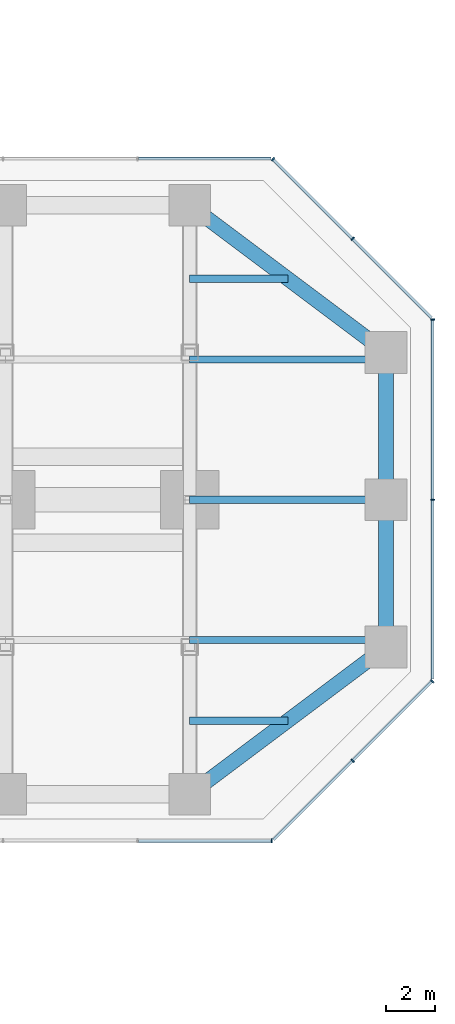
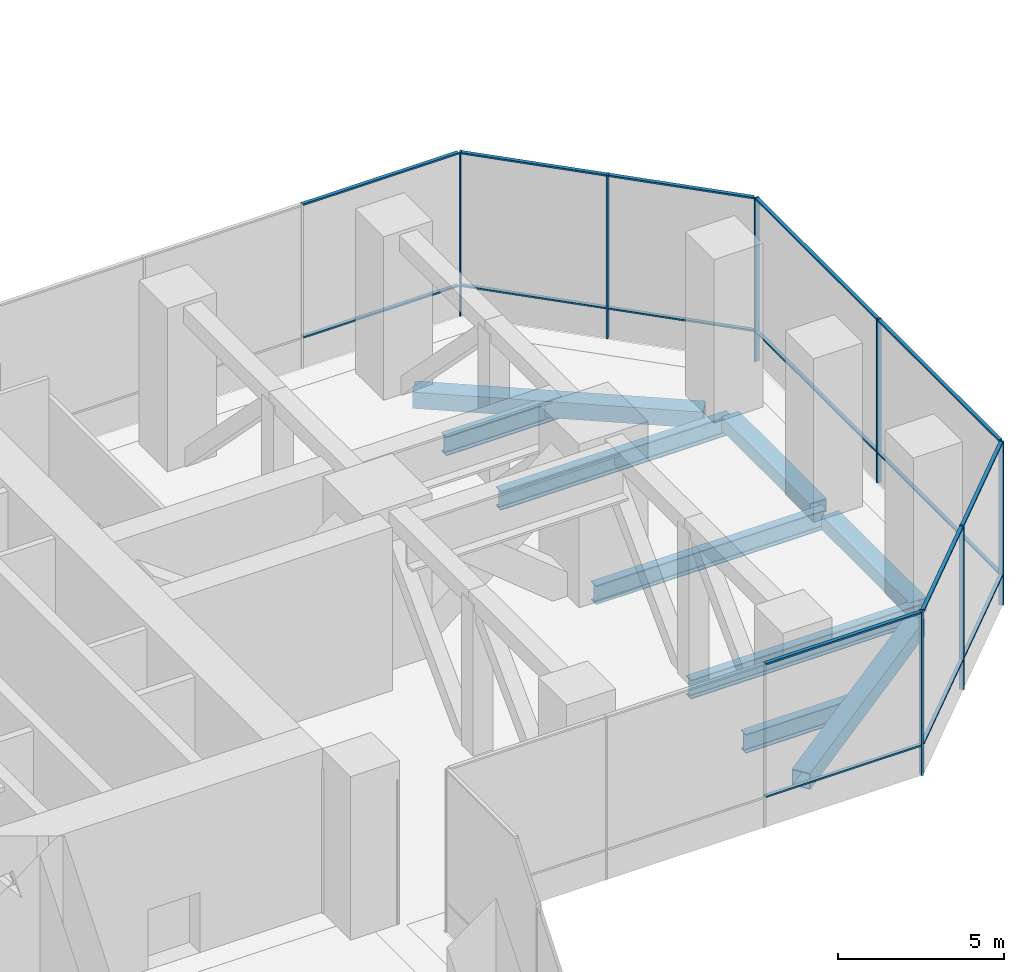
# One storey, part 10 of 19: 23 members, 9 beams, 5 elements without a shape of their own.
"""IFC4 building model written with IfcOpenShell, lengths in metres."""

from ifc_helpers import new_model, si_unit, direction, frame, origin, origin_2d, place, context, subcontext, project, spatial, rectangle, hollow_rectangle, i_section, extrude, material, material_profile, profile_set, type_object, element, aggregate, save


model = new_model("IFC4")

# Units and contexts
model_context = context("Model", 3, precision=1e-05, world=origin(), true_north=direction((0.0, 1.0)))
body_context = subcontext(model_context, "Body", "Model", "MODEL_VIEW")
ifc_project = project(units=[si_unit("LENGTHUNIT", "METRE"), si_unit("AREAUNIT", "SQUARE_METRE"), si_unit("VOLUMEUNIT", "CUBIC_METRE"), si_unit("PLANEANGLEUNIT", "RADIAN"), si_unit("MASSUNIT", "GRAM", prefix="KILO")], contexts=[model_context])

# Site, building, storey
site_placement = place(None, origin())
site = spatial("IfcSite", under=ifc_project, at=site_placement, CompositionType="ELEMENT")
building_placement = place(site_placement, origin())
building = spatial("IfcBuilding", under=site, at=building_placement, Name="Mizan Broadcast Tower", CompositionType="ELEMENT")
storey_placement = place(building_placement, frame((0.0, 0.0, 37.5)))
storey = spatial("IfcBuildingStorey", under=building, at=storey_placement, Name="L06", CompositionType="ELEMENT", Elevation=37.5)

# Beams
ifc_material_1 = material(Name="Steel S355", Category="steel")
ifc_material_profile_1 = material_profile(ifc_material_1, hollow_rectangle(XDim=0.60009765625, YDim=0.5, WallThickness=0.030029296875, at=origin_2d()), Name="BOX 500x600x30")
ifc_profile_set_1 = profile_set([ifc_material_profile_1], Name="Steel S355")
beam_type_1 = type_object("IfcBeamType", Name="EDGE BEAM BOX 500x600x30", PredefinedType="SPANDREL", material=ifc_profile_set_1)
for number, where, z_axis, x_axis, name in (
    (1, (35.0, -5.639892578125, -0.5), (0.0, 1.0, 0.0), (-1.0, 0.0, 0.0), "Edge beam BOX 500x600x30 L06 east arm"),
    (2, (35.0, 5.639892578125, -0.5), (0.0, -1.0, 0.0), (1.0, 0.0, 0.0), "Edge beam BOX 500x600x30 L06 east arm"),
):
    element("IfcBeam", number, at=place(storey_placement, frame(where, z_axis=z_axis, x_axis=x_axis)), inside=storey, type_object=beam_type_1, Name=name, PredefinedType="SPANDREL", context=body_context, shape_type="SweptSolid", body=[
        extrude(hollow_rectangle(XDim=0.60009765625, YDim=0.5, WallThickness=0.030029296875, at=origin_2d()), origin(), (0.0, 0.0, 1.0), 5.27978515625),
    ])
ifc_material_2 = material(Name="Steel S355", Category="steel")
ifc_material_profile_2 = material_profile(ifc_material_2, hollow_rectangle(XDim=0.60009765625, YDim=0.60009765625, WallThickness=0.030029296875, at=origin_2d()), Name="BOX 600x600x30")
ifc_profile_set_2 = profile_set([ifc_material_profile_2], Name="Steel S355")
beam_type_2 = type_object("IfcBeamType", Name="EDGE BEAM BOX 600x600x30", PredefinedType="SPANDREL", material=ifc_profile_set_2)
for number, where, z_axis, x_axis, name in (
    (3, (27.47998046875, -11.639892578125, -0.550048828125), (0.800013316712, 0.599982243973, 0.0), (-0.599982243973, 0.800013316712, 0.0), "Edge beam BOX 600x600x30 L06 east arm"),
    (4, (27.47998046875, 11.639892578125, -0.550048828125), (0.800013316712, -0.599982243973, 0.0), (0.599982243973, 0.800013316712, 0.0), "Edge beam BOX 600x600x30 L06 east arm"),
):
    element("IfcBeam", number, at=place(storey_placement, frame(where, z_axis=z_axis, x_axis=x_axis)), inside=storey, type_object=beam_type_2, Name=name, PredefinedType="SPANDREL", context=body_context, shape_type="SweptSolid", body=[
        extrude(hollow_rectangle(XDim=0.60009765625, YDim=0.60009765625, WallThickness=0.030029296875, at=origin_2d()), origin(), (0.0, 0.0, 1.0), 8.7998046875),
    ])

# Curtain wall, member
ifc_material_3 = material(Name="Aluminium framed glazing", Category="aluminium")
curtain_wall_type = type_object("IfcCurtainWallType", Name="PLANT LOUVRE", PredefinedType="USERDEFINED", material=ifc_material_3)
curtain_wall_1_placement = place(storey_placement, origin())
curtain_wall_1 = element("IfcCurtainWall", 5, at=curtain_wall_1_placement, inside=storey, type_object=curtain_wall_type, Name="Plant louvre L06 E side", ObjectType="PLANT LOUVRE", PredefinedType="USERDEFINED")
ifc_material_4 = material(Name="Aluminium, pale anodised", Category="aluminium")
ifc_material_profile_3 = material_profile(ifc_material_4, rectangle(XDim=0.159912109375, YDim=0.06005859375, at=origin_2d()), Name="MULLION 160x60")
ifc_profile_set_3 = profile_set([ifc_material_profile_3], Name="Aluminium, pale anodised")
member_type_1 = type_object("IfcMemberType", Name="INNER SKIN MULLION 60x160", PredefinedType="MULLION", material=ifc_profile_set_3)
member_1_placement = place(storey_placement, frame((30.3427734375, -13.89990234375, 0.0), z_axis=(0.0, 0.0, 1.0), x_axis=(0.0, 1.0, 0.0)))
member_1 = element("IfcMember", 6, at=member_1_placement, type_object=member_type_1, Name="Plant louvre L06 E side mullion 4", PredefinedType="MULLION", context=body_context, shape_type="SweptSolid", body=[
    extrude(rectangle(XDim=0.159912109375, YDim=0.06005859375, at=origin_2d()), origin(), (0.0, 0.0, 1.0), 6.0),
])

# Curtain wall, members
curtain_wall_2_placement = place(storey_placement, origin())
curtain_wall_2 = element("IfcCurtainWall", 7, at=curtain_wall_2_placement, inside=storey, type_object=curtain_wall_type, Name="Plant louvre L06 E chamfer", ObjectType="PLANT LOUVRE", PredefinedType="USERDEFINED")
member_2_placement = place(storey_placement, frame((33.636474609375, -10.636474609375, 0.0), z_axis=(0.0, 0.0, 1.0), x_axis=(-0.707106781187, 0.707106781187, 0.0)))
member_2 = element("IfcMember", 8, at=member_2_placement, type_object=member_type_1, Name="Plant louvre L06 E chamfer mullion 2", PredefinedType="MULLION", context=body_context, shape_type="SweptSolid", body=[
    extrude(rectangle(XDim=0.159912109375, YDim=0.06005859375, at=origin_2d()), origin(), (0.0, 0.0, 1.0), 6.0),
])
member_3_placement = place(storey_placement, frame((36.87890625, -7.39404296875, 0.0), z_axis=(0.0, 0.0, 1.0), x_axis=(-0.707106781187, 0.707106781187, 0.0)))
member_3 = element("IfcMember", 9, at=member_3_placement, type_object=member_type_1, Name="Plant louvre L06 E chamfer mullion 3", PredefinedType="MULLION", context=body_context, shape_type="SweptSolid", body=[
    extrude(rectangle(XDim=0.159912109375, YDim=0.06005859375, at=origin_2d()), origin(), (0.0, 0.0, 1.0), 6.0),
])

curtain_wall_3_placement = place(storey_placement, origin())
curtain_wall_3 = element("IfcCurtainWall", 10, at=curtain_wall_3_placement, inside=storey, type_object=curtain_wall_type, Name="Plant louvre L06 E end", ObjectType="PLANT LOUVRE", PredefinedType="USERDEFINED")
member_4_placement = place(storey_placement, frame((36.89990234375, 0.0, 0.0), z_axis=(0.0, 0.0, 1.0), x_axis=(-1.0, 0.0, 0.0)))
member_4 = element("IfcMember", 11, at=member_4_placement, type_object=member_type_1, Name="Plant louvre L06 E end mullion 2", PredefinedType="MULLION", context=body_context, shape_type="SweptSolid", body=[
    extrude(rectangle(XDim=0.159912109375, YDim=0.06005859375, at=origin_2d()), origin(), (0.0, 0.0, 1.0), 6.0),
])
member_5_placement = place(storey_placement, frame((36.89990234375, 7.3427734375, 0.0), z_axis=(0.0, 0.0, 1.0), x_axis=(-1.0, 0.0, 0.0)))
member_5 = element("IfcMember", 12, at=member_5_placement, type_object=member_type_1, Name="Plant louvre L06 E end mullion 3", PredefinedType="MULLION", context=body_context, shape_type="SweptSolid", body=[
    extrude(rectangle(XDim=0.159912109375, YDim=0.06005859375, at=origin_2d()), origin(), (0.0, 0.0, 1.0), 6.0),
])

curtain_wall_4_placement = place(storey_placement, origin())
curtain_wall_4 = element("IfcCurtainWall", 13, at=curtain_wall_4_placement, inside=storey, type_object=curtain_wall_type, Name="Plant louvre L06 E chamfer", ObjectType="PLANT LOUVRE", PredefinedType="USERDEFINED")
member_6_placement = place(storey_placement, frame((33.636474609375, 10.636474609375, 0.0), z_axis=(0.0, 0.0, 1.0), x_axis=(-0.707106781187, -0.707106781187, 0.0)))
member_6 = element("IfcMember", 14, at=member_6_placement, type_object=member_type_1, Name="Plant louvre L06 E chamfer mullion 2", PredefinedType="MULLION", context=body_context, shape_type="SweptSolid", body=[
    extrude(rectangle(XDim=0.159912109375, YDim=0.06005859375, at=origin_2d()), origin(), (0.0, 0.0, 1.0), 6.0),
])
member_7_placement = place(storey_placement, frame((30.39404296875, 13.87890625, 0.0), z_axis=(0.0, 0.0, 1.0), x_axis=(-0.707106781187, -0.707106781187, 0.0)))
member_7 = element("IfcMember", 15, at=member_7_placement, type_object=member_type_1, Name="Plant louvre L06 E chamfer mullion 3", PredefinedType="MULLION", context=body_context, shape_type="SweptSolid", body=[
    extrude(rectangle(XDim=0.159912109375, YDim=0.06005859375, at=origin_2d()), origin(), (0.0, 0.0, 1.0), 6.0),
])

# Member
ifc_material_5 = material(Name="Aluminium, pale anodised", Category="aluminium")
ifc_material_profile_4 = material_profile(ifc_material_5, rectangle(XDim=0.1201171875, YDim=0.06005859375, at=origin_2d()), Name="TRANSOM 120x60")
ifc_profile_set_4 = profile_set([ifc_material_profile_4], Name="Aluminium, pale anodised")
member_type_2 = type_object("IfcMemberType", Name="INNER SKIN TRANSOM 60x120", PredefinedType="USERDEFINED", material=ifc_profile_set_4)
member_8_placement = place(storey_placement, frame((24.911865234375, -13.89990234375, 1.10009765625), z_axis=(1.0, 0.0, 0.0), x_axis=(0.0, 1.0, 0.0)))
member_8 = element("IfcMember", 16, at=member_8_placement, type_object=member_type_2, Name="Plant louvre L06 E side transom 3.1", ObjectType="TRANSOM", PredefinedType="USERDEFINED", context=body_context, shape_type="SweptSolid", body=[
    extrude(rectangle(XDim=0.1201171875, YDim=0.06005859375, at=origin_2d()), origin(), (0.0, 0.0, 1.0), 5.40087890625),
])

member_9_placement = place(storey_placement, frame((24.911865234375, -13.89990234375, 5.969970703125), z_axis=(1.0, 0.0, 0.0), x_axis=(0.0, 1.0, 0.0)))
member_9 = element("IfcMember", 17, at=member_9_placement, type_object=member_type_2, Name="Plant louvre L06 E side transom 3.2", ObjectType="TRANSOM", PredefinedType="USERDEFINED", context=body_context, shape_type="SweptSolid", body=[
    extrude(rectangle(XDim=0.1201171875, YDim=0.06005859375, at=origin_2d()), origin(), (0.0, 0.0, 1.0), 5.40087890625),
])

aggregate(curtain_wall_1, [member_1, member_8, member_9])

member_10_placement = place(storey_placement, frame((30.415283203125, -13.857666015625, 1.10009765625), z_axis=(0.707106781187, 0.707106781187, 0.0), x_axis=(-0.707106781187, 0.707106781187, 0.0)))
member_10 = element("IfcMember", 18, at=member_10_placement, type_object=member_type_2, Name="Plant louvre L06 E chamfer transom 1.1", ObjectType="TRANSOM", PredefinedType="USERDEFINED", context=body_context, shape_type="SweptSolid", body=[
    extrude(rectangle(XDim=0.1201171875, YDim=0.06005859375, at=origin_2d()), origin(), (0.0, 0.0, 1.0), 4.525390625),
])

member_11_placement = place(storey_placement, frame((30.415283203125, -13.857666015625, 5.969970703125), z_axis=(0.707106781187, 0.707106781187, 0.0), x_axis=(-0.707106781187, 0.707106781187, 0.0)))
member_11 = element("IfcMember", 19, at=member_11_placement, type_object=member_type_2, Name="Plant louvre L06 E chamfer transom 1.2", ObjectType="TRANSOM", PredefinedType="USERDEFINED", context=body_context, shape_type="SweptSolid", body=[
    extrude(rectangle(XDim=0.1201171875, YDim=0.06005859375, at=origin_2d()), origin(), (0.0, 0.0, 1.0), 4.525390625),
])

member_12_placement = place(storey_placement, frame((33.65771484375, -10.615234375, 1.10009765625), z_axis=(0.707106781187, 0.707106781187, 0.0), x_axis=(-0.707106781187, 0.707106781187, 0.0)))
member_12 = element("IfcMember", 20, at=member_12_placement, type_object=member_type_2, Name="Plant louvre L06 E chamfer transom 2.1", ObjectType="TRANSOM", PredefinedType="USERDEFINED", context=body_context, shape_type="SweptSolid", body=[
    extrude(rectangle(XDim=0.1201171875, YDim=0.06005859375, at=origin_2d()), origin(), (0.0, 0.0, 1.0), 4.525390625),
])

member_13_placement = place(storey_placement, frame((33.65771484375, -10.615234375, 5.969970703125), z_axis=(0.707106781187, 0.707106781187, 0.0), x_axis=(-0.707106781187, 0.707106781187, 0.0)))
member_13 = element("IfcMember", 21, at=member_13_placement, type_object=member_type_2, Name="Plant louvre L06 E chamfer transom 2.2", ObjectType="TRANSOM", PredefinedType="USERDEFINED", context=body_context, shape_type="SweptSolid", body=[
    extrude(rectangle(XDim=0.1201171875, YDim=0.06005859375, at=origin_2d()), origin(), (0.0, 0.0, 1.0), 4.525390625),
])

aggregate(curtain_wall_2, [member_2, member_3, member_10, member_11, member_12, member_13])

member_14_placement = place(storey_placement, frame((36.89990234375, -7.312744140625, 1.10009765625), z_axis=(0.0, 1.0, 0.0), x_axis=(-1.0, 0.0, 0.0)))
member_14 = element("IfcMember", 22, at=member_14_placement, type_object=member_type_2, Name="Plant louvre L06 E end transom 1.1", ObjectType="TRANSOM", PredefinedType="USERDEFINED", context=body_context, shape_type="SweptSolid", body=[
    extrude(rectangle(XDim=0.1201171875, YDim=0.06005859375, at=origin_2d()), origin(), (0.0, 0.0, 1.0), 7.28271484375),
])

member_15_placement = place(storey_placement, frame((36.89990234375, -7.312744140625, 5.969970703125), z_axis=(0.0, 1.0, 0.0), x_axis=(-1.0, 0.0, 0.0)))
member_15 = element("IfcMember", 23, at=member_15_placement, type_object=member_type_2, Name="Plant louvre L06 E end transom 1.2", ObjectType="TRANSOM", PredefinedType="USERDEFINED", context=body_context, shape_type="SweptSolid", body=[
    extrude(rectangle(XDim=0.1201171875, YDim=0.06005859375, at=origin_2d()), origin(), (0.0, 0.0, 1.0), 7.28271484375),
])

member_16_placement = place(storey_placement, frame((36.89990234375, 0.030029296875, 1.10009765625), z_axis=(0.0, 1.0, 0.0), x_axis=(-1.0, 0.0, 0.0)))
member_16 = element("IfcMember", 24, at=member_16_placement, type_object=member_type_2, Name="Plant louvre L06 E end transom 2.1", ObjectType="TRANSOM", PredefinedType="USERDEFINED", context=body_context, shape_type="SweptSolid", body=[
    extrude(rectangle(XDim=0.1201171875, YDim=0.06005859375, at=origin_2d()), origin(), (0.0, 0.0, 1.0), 7.28271484375),
])

member_17_placement = place(storey_placement, frame((36.89990234375, 0.030029296875, 5.969970703125), z_axis=(0.0, 1.0, 0.0), x_axis=(-1.0, 0.0, 0.0)))
member_17 = element("IfcMember", 25, at=member_17_placement, type_object=member_type_2, Name="Plant louvre L06 E end transom 2.2", ObjectType="TRANSOM", PredefinedType="USERDEFINED", context=body_context, shape_type="SweptSolid", body=[
    extrude(rectangle(XDim=0.1201171875, YDim=0.06005859375, at=origin_2d()), origin(), (0.0, 0.0, 1.0), 7.28271484375),
])

aggregate(curtain_wall_3, [member_4, member_5, member_14, member_15, member_16, member_17])

member_18_placement = place(storey_placement, frame((36.857666015625, 7.415283203125, 1.10009765625), z_axis=(-0.707106781187, 0.707106781187, 0.0), x_axis=(-0.707106781187, -0.707106781187, 0.0)))
member_18 = element("IfcMember", 26, at=member_18_placement, type_object=member_type_2, Name="Plant louvre L06 E chamfer transom 1.1", ObjectType="TRANSOM", PredefinedType="USERDEFINED", context=body_context, shape_type="SweptSolid", body=[
    extrude(rectangle(XDim=0.1201171875, YDim=0.06005859375, at=origin_2d()), origin(), (0.0, 0.0, 1.0), 4.525390625),
])

member_19_placement = place(storey_placement, frame((36.857666015625, 7.415283203125, 5.969970703125), z_axis=(-0.707106781187, 0.707106781187, 0.0), x_axis=(-0.707106781187, -0.707106781187, 0.0)))
member_19 = element("IfcMember", 27, at=member_19_placement, type_object=member_type_2, Name="Plant louvre L06 E chamfer transom 1.2", ObjectType="TRANSOM", PredefinedType="USERDEFINED", context=body_context, shape_type="SweptSolid", body=[
    extrude(rectangle(XDim=0.1201171875, YDim=0.06005859375, at=origin_2d()), origin(), (0.0, 0.0, 1.0), 4.525390625),
])

member_20_placement = place(storey_placement, frame((33.615234375, 10.65771484375, 1.10009765625), z_axis=(-0.707106781187, 0.707106781187, 0.0), x_axis=(-0.707106781187, -0.707106781187, 0.0)))
member_20 = element("IfcMember", 28, at=member_20_placement, type_object=member_type_2, Name="Plant louvre L06 E chamfer transom 2.1", ObjectType="TRANSOM", PredefinedType="USERDEFINED", context=body_context, shape_type="SweptSolid", body=[
    extrude(rectangle(XDim=0.1201171875, YDim=0.06005859375, at=origin_2d()), origin(), (0.0, 0.0, 1.0), 4.525390625),
])

member_21_placement = place(storey_placement, frame((33.615234375, 10.65771484375, 5.969970703125), z_axis=(-0.707106781187, 0.707106781187, 0.0), x_axis=(-0.707106781187, -0.707106781187, 0.0)))
member_21 = element("IfcMember", 29, at=member_21_placement, type_object=member_type_2, Name="Plant louvre L06 E chamfer transom 2.2", ObjectType="TRANSOM", PredefinedType="USERDEFINED", context=body_context, shape_type="SweptSolid", body=[
    extrude(rectangle(XDim=0.1201171875, YDim=0.06005859375, at=origin_2d()), origin(), (0.0, 0.0, 1.0), 4.525390625),
])

aggregate(curtain_wall_4, [member_6, member_7, member_18, member_19, member_20, member_21])

# Curtain wall, members
curtain_wall_5_placement = place(storey_placement, origin())
curtain_wall_5 = element("IfcCurtainWall", 30, at=curtain_wall_5_placement, inside=storey, type_object=curtain_wall_type, Name="Plant louvre L06 E side", ObjectType="PLANT LOUVRE", PredefinedType="USERDEFINED")
member_22_placement = place(storey_placement, frame((30.312744140625, 13.89990234375, 1.10009765625), z_axis=(-1.0, 0.0, 0.0), x_axis=(0.0, -1.0, 0.0)))
member_22 = element("IfcMember", 31, at=member_22_placement, type_object=member_type_2, Name="Plant louvre L06 E side transom 1.1", ObjectType="TRANSOM", PredefinedType="USERDEFINED", context=body_context, shape_type="SweptSolid", body=[
    extrude(rectangle(XDim=0.1201171875, YDim=0.06005859375, at=origin_2d()), origin(), (0.0, 0.0, 1.0), 5.40087890625),
])
member_23_placement = place(storey_placement, frame((30.312744140625, 13.89990234375, 5.969970703125), z_axis=(-1.0, 0.0, 0.0), x_axis=(0.0, -1.0, 0.0)))
member_23 = element("IfcMember", 32, at=member_23_placement, type_object=member_type_2, Name="Plant louvre L06 E side transom 1.2", ObjectType="TRANSOM", PredefinedType="USERDEFINED", context=body_context, shape_type="SweptSolid", body=[
    extrude(rectangle(XDim=0.1201171875, YDim=0.06005859375, at=origin_2d()), origin(), (0.0, 0.0, 1.0), 5.40087890625),
])
aggregate(curtain_wall_5, [member_22, member_23])

# Beams
ifc_material_6 = material(Name="Steel S355", Category="steel")
ifc_material_profile_5 = material_profile(ifc_material_6, i_section(OverallWidth=0.300048828125, OverallDepth=0.699951171875, WebThickness=0.01708984375, FlangeThickness=0.031982421875, FilletRadius=0.027099609375, at=origin_2d()), Name="HEB 700")
ifc_profile_set_5 = profile_set([ifc_material_profile_5], Name="Steel S355")
beam_type_3 = type_object("IfcBeamType", Name="SECONDARY BEAM HEB 700", PredefinedType="JOIST", material=ifc_profile_set_5)
beam_1_placement = place(storey_placement, frame((27.0, -5.71435546875, -0.60009765625), z_axis=(1.0, 0.0, 0.0), x_axis=(0.0, 1.0, 0.0)))
element("IfcBeam", 33, at=beam_1_placement, inside=storey, type_object=beam_type_3, Name="Secondary beam HEB 700 L06 east arm", PredefinedType="JOIST", context=body_context, shape_type="SweptSolid", body=[
    extrude(i_section(OverallWidth=0.300048828125, OverallDepth=0.699951171875, WebThickness=0.01708984375, FlangeThickness=0.031982421875, FilletRadius=0.027099609375, at=origin_2d()), origin(), (0.0, 0.0, 1.0), 8.0),
])
beam_2_placement = place(storey_placement, frame((27.0, -9.0, -0.60009765625), z_axis=(1.0, 0.0, 0.0), x_axis=(0.0, 1.0, 0.0)))
element("IfcBeam", 34, at=beam_2_placement, inside=storey, type_object=beam_type_3, Name="Secondary beam HEB 700 L06 east arm", PredefinedType="JOIST", context=body_context, shape_type="SweptSolid", body=[
    extrude(i_section(OverallWidth=0.300048828125, OverallDepth=0.699951171875, WebThickness=0.01708984375, FlangeThickness=0.031982421875, FilletRadius=0.027099609375, at=origin_2d()), origin(), (0.0, 0.0, 1.0), 4.0),
])
for number, where, z_axis, x_axis, name in (
    (35, (27.0, 0.0, -0.60009765625), (1.0, 0.0, 0.0), (0.0, 1.0, 0.0), "Secondary beam HEB 700 L06 east arm"),
    (36, (27.0, 5.71435546875, -0.60009765625), (1.0, 0.0, 0.0), (0.0, 1.0, 0.0), "Secondary beam HEB 700 L06 east arm"),
):
    element("IfcBeam", number, at=place(storey_placement, frame(where, z_axis=z_axis, x_axis=x_axis)), inside=storey, type_object=beam_type_3, Name=name, PredefinedType="JOIST", context=body_context, shape_type="SweptSolid", body=[
        extrude(i_section(OverallWidth=0.300048828125, OverallDepth=0.699951171875, WebThickness=0.01708984375, FlangeThickness=0.031982421875, FilletRadius=0.027099609375, at=origin_2d()), origin(), (0.0, 0.0, 1.0), 8.0),
    ])
beam_3_placement = place(storey_placement, frame((27.0, 9.0, -0.60009765625), z_axis=(1.0, 0.0, 0.0), x_axis=(0.0, 1.0, 0.0)))
element("IfcBeam", 37, at=beam_3_placement, inside=storey, type_object=beam_type_3, Name="Secondary beam HEB 700 L06 east arm", PredefinedType="JOIST", context=body_context, shape_type="SweptSolid", body=[
    extrude(i_section(OverallWidth=0.300048828125, OverallDepth=0.699951171875, WebThickness=0.01708984375, FlangeThickness=0.031982421875, FilletRadius=0.027099609375, at=origin_2d()), origin(), (0.0, 0.0, 1.0), 4.0),
])

save(model, "model.ifc")
